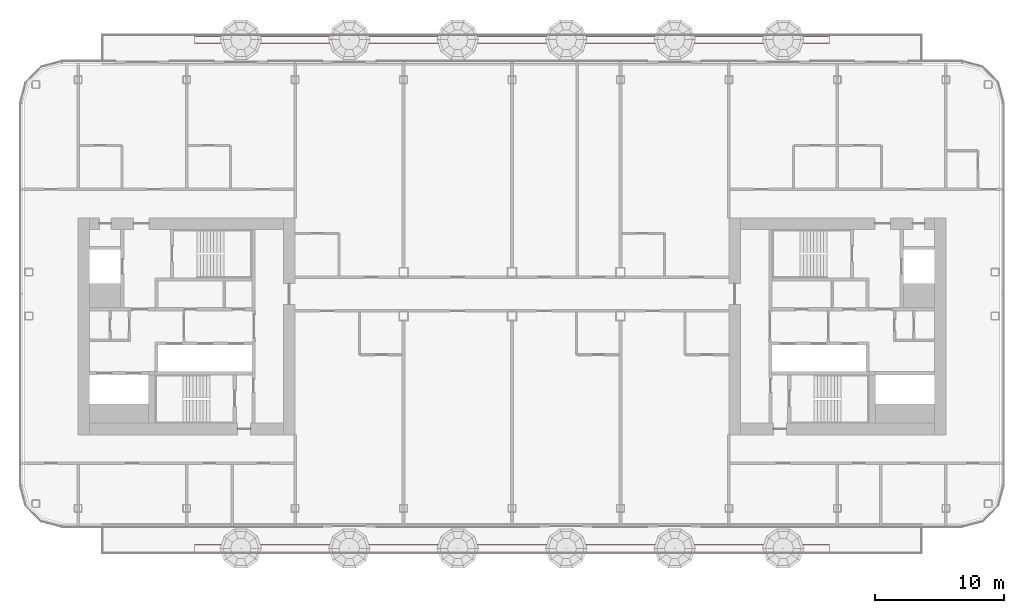
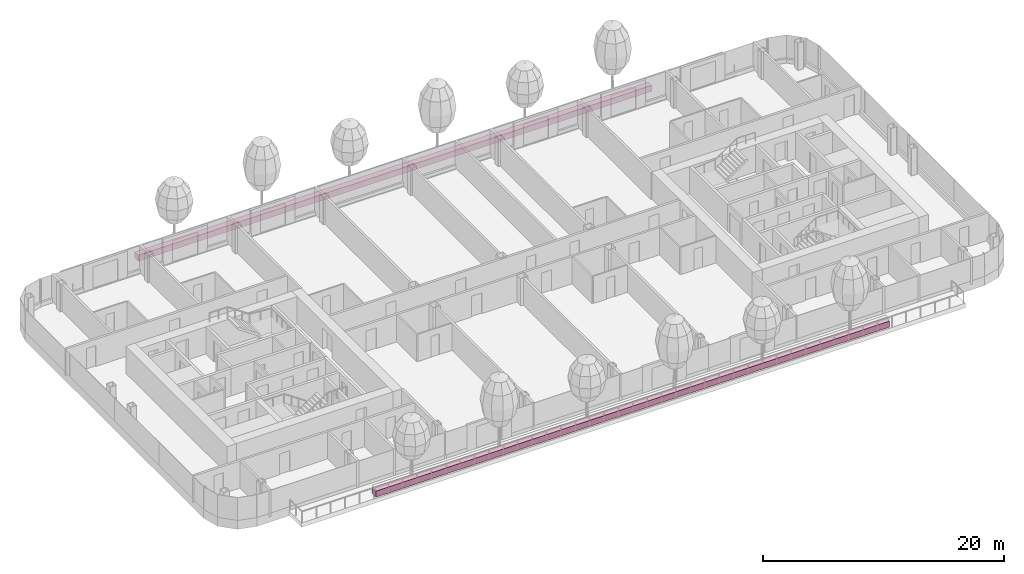
# One storey, part 25 of 28: 2 furniture elements.
"""IFC4 building model written with IfcOpenShell, lengths in metres."""

from ifc_helpers import new_model, si_unit, direction, frame, origin, origin_2d, place, context, subcontext, project, spatial, rectangle, extrude, material, type_object, element, save


model = new_model("IFC4")

# Units and contexts
model_context = context("Model", 3, precision=1e-05, world=origin(), true_north=direction((0.0, 1.0)))
body_context = subcontext(model_context, "Body", "Model", "MODEL_VIEW")
ifc_project = project(units=[si_unit("LENGTHUNIT", "METRE"), si_unit("AREAUNIT", "SQUARE_METRE"), si_unit("VOLUMEUNIT", "CUBIC_METRE"), si_unit("PLANEANGLEUNIT", "RADIAN"), si_unit("MASSUNIT", "GRAM", prefix="KILO")], contexts=[model_context])

# Site, building, storey
site_placement = place(None, origin())
site = spatial("IfcSite", under=ifc_project, at=site_placement, CompositionType="ELEMENT")
building_placement = place(site_placement, origin())
building = spatial("IfcBuilding", under=site, at=building_placement, Name="Hakoniwa Tower and Hamabe Station Hall", CompositionType="ELEMENT")
storey_placement = place(building_placement, frame((0.0, 0.0, 218.60009765625)))
storey = spatial("IfcBuildingStorey", under=building, at=storey_placement, Name="L62", CompositionType="ELEMENT", Elevation=218.60009765625)

# Furniture
ifc_material = material(Name="Aluminium 6063-T5 black anodised trough with lightweight soil", Category="aluminium")
furniture_type = type_object("IfcFurnitureType", Name="Planter 600x600", AssemblyPlace="SITE", PredefinedType="USERDEFINED", material=ifc_material)
for number, where, z_axis, x_axis, name in (
    (1, (0.0, 22.199951171875, -0.000244140625), (0.0, 0.0, 1.0), (1.0, 0.0, 0.0), "Planter 600x600"),
    (2, (0.0, -17.199951171875, -0.000244140625), (0.0, 0.0, 1.0), (1.0, 0.0, 0.0), "Planter 600x600"),
):
    element("IfcFurniture", number, at=place(storey_placement, frame(where, z_axis=z_axis, x_axis=x_axis)), inside=storey, type_object=furniture_type, Name=name, ObjectType="PLANTER", PredefinedType="USERDEFINED", context=body_context, shape_type="SweptSolid", body=[
        extrude(rectangle(XDim=49.199951171875, YDim=0.60009765625, at=origin_2d()), origin(), (0.0, 0.0, 1.0), 0.60009765625),
    ])

save(model, "model.ifc")
